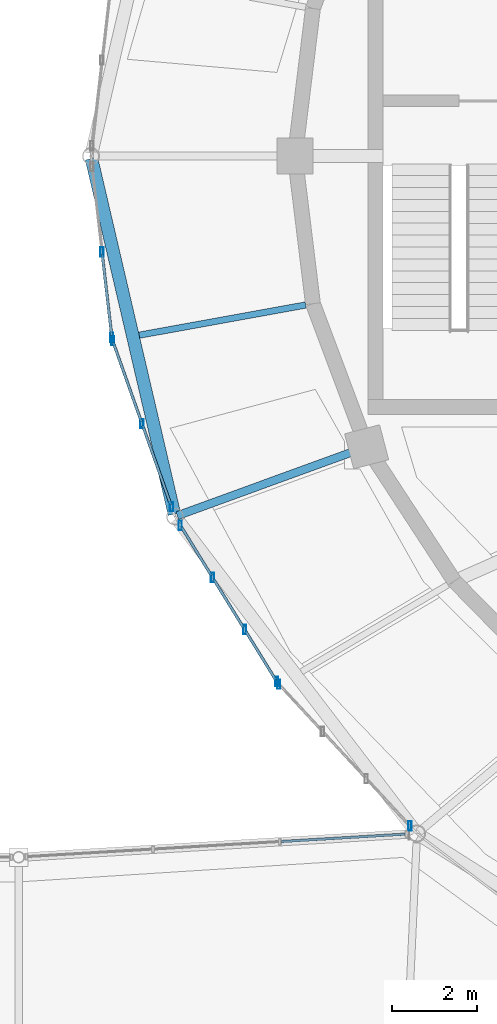
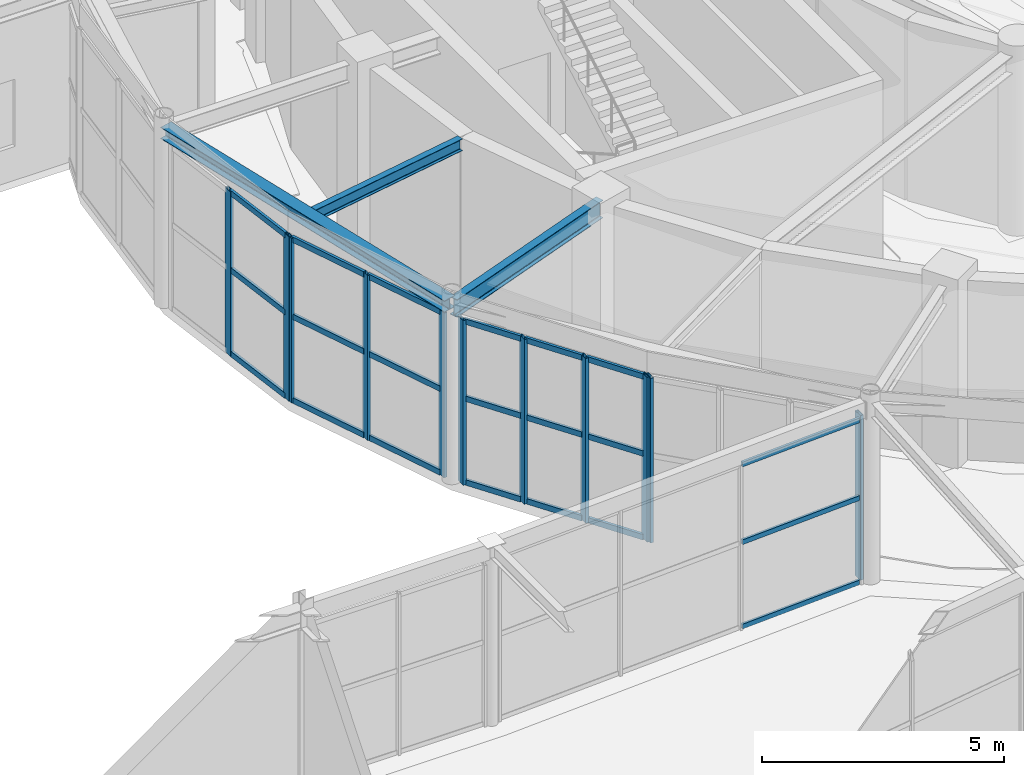
# One storey, part 25 of 100: 32 members, 3 beams, 5 elements without a shape of their own.
"""IFC4 building model written with IfcOpenShell, lengths in metres."""

from ifc_helpers import new_model, si_unit, direction, frame, origin, origin_2d, place, context, subcontext, project, spatial, hollow_rectangle, i_section, extrude, material, material_profile, profile_set, type_object, element, aggregate, save


model = new_model("IFC4")

# Units and contexts
model_context = context("Model", 3, precision=1e-05, world=origin(), true_north=direction((0.0, 1.0)))
body_context = subcontext(model_context, "Body", "Model", "MODEL_VIEW")
ifc_project = project(units=[si_unit("LENGTHUNIT", "METRE"), si_unit("AREAUNIT", "SQUARE_METRE"), si_unit("VOLUMEUNIT", "CUBIC_METRE"), si_unit("PLANEANGLEUNIT", "RADIAN"), si_unit("MASSUNIT", "GRAM", prefix="KILO")], contexts=[model_context])

# Site, building, storey
site_placement = place(None, origin())
site = spatial("IfcSite", under=ifc_project, at=site_placement, CompositionType="ELEMENT")
building_placement = place(site_placement, origin())
building = spatial("IfcBuilding", under=site, at=building_placement, Name="Tarnveldt Headland Concert Hall", CompositionType="ELEMENT")
storey_placement = place(building_placement, frame((0.0, 0.0, 4.800048828125)))
storey = spatial("IfcBuildingStorey", under=building, at=storey_placement, Name="L01", CompositionType="ELEMENT", Elevation=4.800048828125)

# Curtain wall, members
ifc_material_1 = material(Name="Marine-anodised aluminium EN AW-6063-T6", Category="aluminium")
curtain_wall_type_1 = type_object("IfcCurtainWallType", Name="CW-F2", PredefinedType="NOTDEFINED", material=ifc_material_1)
curtain_wall_1_placement = place(storey_placement, origin())
curtain_wall_1 = element("IfcCurtainWall", 1, at=curtain_wall_1_placement, inside=storey, type_object=curtain_wall_type_1, Name="Curtain wall CW-L01-045", PredefinedType="NOTDEFINED")
ifc_material_profile_1 = material_profile(ifc_material_1, hollow_rectangle(XDim=0.074951171875, YDim=0.219970703125, WallThickness=0.0048828125, at=origin_2d()), Name="ALU MULLION 75x220x5", Category="aluminium")
ifc_profile_set_1 = profile_set([ifc_material_profile_1], Name="Marine-anodised aluminium EN AW-6063-T6")
member_type_1 = type_object("IfcMemberType", Name="ML-200", PredefinedType="MULLION", material=ifc_profile_set_1)
member_1_placement = place(storey_placement, frame((50.9609375, 52.245849609375, 0.0), z_axis=(0.0, 0.0, 1.0), x_axis=(1.0, 0.0, 0.0)))
member_1 = element("IfcMember", 2, at=member_1_placement, type_object=member_type_1, Name="Mullion CW-L01-045-2", PredefinedType="MULLION", context=body_context, shape_type="SweptSolid", body=[
    extrude(hollow_rectangle(XDim=0.074951171875, YDim=0.219970703125, WallThickness=0.0048828125, at=origin_2d()), origin(), (0.0, 0.0, 1.0), 4.159912109375),
])
member_2_placement = place(storey_placement, frame((51.193603515625, 50.233154296875, 0.0), z_axis=(0.0, 0.0, 1.0), x_axis=(1.0, 0.0, 0.0)))
member_2 = element("IfcMember", 3, at=member_2_placement, type_object=member_type_1, Name="Mullion CW-L01-045-3", PredefinedType="MULLION", context=body_context, shape_type="SweptSolid", body=[
    extrude(hollow_rectangle(XDim=0.074951171875, YDim=0.219970703125, WallThickness=0.0048828125, at=origin_2d()), origin(), (0.0, 0.0, 1.0), 4.159912109375),
])

curtain_wall_2_placement = place(storey_placement, origin())
curtain_wall_2 = element("IfcCurtainWall", 4, at=curtain_wall_2_placement, inside=storey, type_object=curtain_wall_type_1, Name="Curtain wall CW-L01-046", PredefinedType="NOTDEFINED")
member_3_placement = place(storey_placement, frame((51.211669921875, 50.15576171875, 0.0), z_axis=(0.0, 0.0, 1.0), x_axis=(1.0, 0.0, 0.0)))
member_3 = element("IfcMember", 5, at=member_3_placement, type_object=member_type_1, Name="Mullion CW-L01-046-1", PredefinedType="MULLION", context=body_context, shape_type="SweptSolid", body=[
    extrude(hollow_rectangle(XDim=0.074951171875, YDim=0.219970703125, WallThickness=0.0048828125, at=origin_2d()), origin(), (0.0, 0.0, 1.0), 4.159912109375),
])
member_4_placement = place(storey_placement, frame((51.904296875, 48.201416015625, 0.0), z_axis=(0.0, 0.0, 1.0), x_axis=(1.0, 0.0, 0.0)))
member_4 = element("IfcMember", 6, at=member_4_placement, type_object=member_type_1, Name="Mullion CW-L01-046-2", PredefinedType="MULLION", context=body_context, shape_type="SweptSolid", body=[
    extrude(hollow_rectangle(XDim=0.074951171875, YDim=0.219970703125, WallThickness=0.0048828125, at=origin_2d()), origin(), (0.0, 0.0, 1.0), 4.159912109375),
])
member_5_placement = place(storey_placement, frame((52.596923828125, 46.2470703125, 0.0), z_axis=(0.0, 0.0, 1.0), x_axis=(1.0, 0.0, 0.0)))
member_5 = element("IfcMember", 7, at=member_5_placement, type_object=member_type_1, Name="Mullion CW-L01-046-3", PredefinedType="MULLION", context=body_context, shape_type="SweptSolid", body=[
    extrude(hollow_rectangle(XDim=0.074951171875, YDim=0.219970703125, WallThickness=0.0048828125, at=origin_2d()), origin(), (0.0, 0.0, 1.0), 4.159912109375),
])

curtain_wall_3_placement = place(storey_placement, origin())
curtain_wall_3 = element("IfcCurtainWall", 8, at=curtain_wall_3_placement, inside=storey, type_object=curtain_wall_type_1, Name="Curtain wall CW-L01-047", PredefinedType="NOTDEFINED")
member_6_placement = place(storey_placement, frame((52.805908203125, 45.810791015625, 0.0), z_axis=(0.0, 0.0, 1.0), x_axis=(1.0, 0.0, 0.0)))
member_6 = element("IfcMember", 9, at=member_6_placement, type_object=member_type_1, Name="Mullion CW-L01-047-1", PredefinedType="MULLION", context=body_context, shape_type="SweptSolid", body=[
    extrude(hollow_rectangle(XDim=0.074951171875, YDim=0.219970703125, WallThickness=0.0048828125, at=origin_2d()), origin(), (0.0, 0.0, 1.0), 4.159912109375),
])
member_7_placement = place(storey_placement, frame((53.561767578125, 44.585205078125, 0.0), z_axis=(0.0, 0.0, 1.0), x_axis=(1.0, 0.0, 0.0)))
member_7 = element("IfcMember", 10, at=member_7_placement, type_object=member_type_1, Name="Mullion CW-L01-047-2", PredefinedType="MULLION", context=body_context, shape_type="SweptSolid", body=[
    extrude(hollow_rectangle(XDim=0.074951171875, YDim=0.219970703125, WallThickness=0.0048828125, at=origin_2d()), origin(), (0.0, 0.0, 1.0), 4.159912109375),
])
member_8_placement = place(storey_placement, frame((54.3173828125, 43.359619140625, 0.0), z_axis=(0.0, 0.0, 1.0), x_axis=(1.0, 0.0, 0.0)))
member_8 = element("IfcMember", 11, at=member_8_placement, type_object=member_type_1, Name="Mullion CW-L01-047-3", PredefinedType="MULLION", context=body_context, shape_type="SweptSolid", body=[
    extrude(hollow_rectangle(XDim=0.074951171875, YDim=0.219970703125, WallThickness=0.0048828125, at=origin_2d()), origin(), (0.0, 0.0, 1.0), 4.159912109375),
])
member_9_placement = place(storey_placement, frame((55.073486328125, 42.134033203125, 0.0), z_axis=(0.0, 0.0, 1.0), x_axis=(1.0, 0.0, 0.0)))
member_9 = element("IfcMember", 12, at=member_9_placement, type_object=member_type_1, Name="Mullion CW-L01-047-4", PredefinedType="MULLION", context=body_context, shape_type="SweptSolid", body=[
    extrude(hollow_rectangle(XDim=0.074951171875, YDim=0.219970703125, WallThickness=0.0048828125, at=origin_2d()), origin(), (0.0, 0.0, 1.0), 4.159912109375),
])

curtain_wall_4_placement = place(storey_placement, origin())
curtain_wall_4 = element("IfcCurtainWall", 13, at=curtain_wall_4_placement, inside=storey, type_object=curtain_wall_type_1, Name="Curtain wall CW-L01-048", PredefinedType="NOTDEFINED")
member_10_placement = place(storey_placement, frame((55.12158203125, 42.07080078125, 0.0), z_axis=(0.0, 0.0, 1.0), x_axis=(1.0, 0.0, 0.0)))
member_10 = element("IfcMember", 14, at=member_10_placement, type_object=member_type_1, Name="Mullion CW-L01-048-1", PredefinedType="MULLION", context=body_context, shape_type="SweptSolid", body=[
    extrude(hollow_rectangle(XDim=0.074951171875, YDim=0.219970703125, WallThickness=0.0048828125, at=origin_2d()), origin(), (0.0, 0.0, 1.0), 4.159912109375),
])
member_11_placement = place(storey_placement, frame((58.20849609375, 38.7373046875, 0.0), z_axis=(0.0, 0.0, 1.0), x_axis=(1.0, 0.0, 0.0)))
member_11 = element("IfcMember", 15, at=member_11_placement, type_object=member_type_1, Name="Mullion CW-L01-048-4", PredefinedType="MULLION", context=body_context, shape_type="SweptSolid", body=[
    extrude(hollow_rectangle(XDim=0.074951171875, YDim=0.219970703125, WallThickness=0.0048828125, at=origin_2d()), origin(), (0.0, 0.0, 1.0), 4.159912109375),
])
aggregate(curtain_wall_4, [member_10, member_11])

# Beams
ifc_material_2 = material(Name="Steel S355", Category="steel")
ifc_material_profile_2 = material_profile(ifc_material_2, i_section(OverallWidth=0.300048828125, OverallDepth=0.2900390625, WebThickness=0.008544921875, FlangeThickness=0.013916015625, FilletRadius=0.027099609375, at=origin_2d()), Name="HEA300", Category="steel")
ifc_profile_set_2 = profile_set([ifc_material_profile_2], Name="Steel S355")
beam_type_1 = type_object("IfcBeamType", Name="SB-HEA300", PredefinedType="SPANDREL", material=ifc_profile_set_2)
beam_1_placement = place(storey_placement, frame((50.713623046875, 54.441650390625, 4.39501953125), z_axis=(0.227123591729, -0.973865942561, 0.0), x_axis=(0.973865942561, 0.227123591729, 0.0)))
element("IfcBeam", 16, at=beam_1_placement, inside=storey, type_object=beam_type_1, Name="Framing beam L01-705", PredefinedType="SPANDREL", context=body_context, shape_type="SweptSolid", body=[
    extrude(i_section(OverallWidth=0.300048828125, OverallDepth=0.2900390625, WebThickness=0.008544921875, FlangeThickness=0.013916015625, FilletRadius=0.027099609375, at=origin_2d()), origin(), (0.0, 0.0, 1.0), 8.589599609375),
])
ifc_material_profile_3 = material_profile(ifc_material_2, i_section(OverallWidth=0.14990234375, OverallDepth=0.300048828125, WebThickness=0.007080078125, FlangeThickness=0.0107421875, FilletRadius=0.014892578125, at=origin_2d()), Name="IPE300", Category="steel")
ifc_profile_set_3 = profile_set([ifc_material_profile_3], Name="Steel S355")
beam_type_2 = type_object("IfcBeamType", Name="SB-IPE300", PredefinedType="JOIST", material=ifc_profile_set_3)
beam_2_placement = place(storey_placement, frame((55.753173828125, 50.995849609375, 4.389892578125), z_axis=(-0.983953220183, -0.178426624954, 0.0), x_axis=(0.178426624954, -0.983953220183, 0.0)))
element("IfcBeam", 17, at=beam_2_placement, inside=storey, type_object=beam_type_2, Name="Framing beam L01-707", PredefinedType="JOIST", context=body_context, shape_type="SweptSolid", body=[
    extrude(i_section(OverallWidth=0.14990234375, OverallDepth=0.300048828125, WebThickness=0.007080078125, FlangeThickness=0.0107421875, FilletRadius=0.014892578125, at=origin_2d()), origin(), (0.0, 0.0, 1.0), 3.98046875),
])
ifc_material_profile_4 = material_profile(ifc_material_2, i_section(OverallWidth=0.18994140625, OverallDepth=0.449951171875, WebThickness=0.009521484375, FlangeThickness=0.0146484375, FilletRadius=0.02099609375, at=origin_2d()), Name="IPE450", Category="steel")
ifc_profile_set_4 = profile_set([ifc_material_profile_4], Name="Steel S355")
beam_type_3 = type_object("IfcBeamType", Name="SB-IPE450", PredefinedType="BEAM", material=ifc_profile_set_4)
beam_3_placement = place(storey_placement, frame((57.15087890625, 47.64599609375, 4.31494140625), z_axis=(-0.939673545823, -0.34207254681, 0.0), x_axis=(0.34207254681, -0.939673545823, 0.0)))
element("IfcBeam", 18, at=beam_3_placement, inside=storey, type_object=beam_type_3, Name="Framing beam L01-709", PredefinedType="BEAM", context=body_context, shape_type="SweptSolid", body=[
    extrude(i_section(OverallWidth=0.18994140625, OverallDepth=0.449951171875, WebThickness=0.009521484375, FlangeThickness=0.0146484375, FilletRadius=0.02099609375, at=origin_2d()), origin(), (0.0, 0.0, 1.0), 4.69970703125),
])

# Curtain wall, members
curtain_wall_type_2 = type_object("IfcCurtainWallType", Name="CW-L2", PredefinedType="NOTDEFINED", material=ifc_material_1)
curtain_wall_5_placement = place(storey_placement, origin())
curtain_wall_5 = element("IfcCurtainWall", 19, at=curtain_wall_5_placement, inside=storey, type_object=curtain_wall_type_2, Name="Curtain wall CW-L01-176", PredefinedType="NOTDEFINED")
ifc_material_profile_5 = material_profile(ifc_material_1, hollow_rectangle(XDim=0.06005859375, YDim=0.1201171875, WallThickness=0.00390625, at=origin_2d()), Name="ALU TRANSOM 60x120x4", Category="aluminium")
ifc_profile_set_5 = profile_set([ifc_material_profile_5], Name="Marine-anodised aluminium EN AW-6063-T6")
member_type_2 = type_object("IfcMemberType", Name="TR-110", PredefinedType="MEMBER", material=ifc_profile_set_5)
member_12_placement = place(storey_placement, frame((55.18798828125, 38.368896484375, 0.050048828125), z_axis=(0.998224778178, 0.059559149014, 0.0), x_axis=(-0.059559149014, 0.998224778178, 0.0)))
member_12 = element("IfcMember", 20, at=member_12_placement, type_object=member_type_2, Name="Transom CW-L01-176-3-1", PredefinedType="MEMBER", context=body_context, shape_type="SweptSolid", body=[
    extrude(hollow_rectangle(XDim=0.06005859375, YDim=0.1201171875, WallThickness=0.00390625, at=origin_2d()), origin(), (0.0, 0.0, 1.0), 2.90625),
])
member_13_placement = place(storey_placement, frame((55.18798828125, 38.368896484375, 2.180419921875), z_axis=(0.998224778178, 0.059559149014, 0.0), x_axis=(-0.059559149014, 0.998224778178, 0.0)))
member_13 = element("IfcMember", 21, at=member_13_placement, type_object=member_type_2, Name="Transom CW-L01-176-3-2", PredefinedType="MEMBER", context=body_context, shape_type="SweptSolid", body=[
    extrude(hollow_rectangle(XDim=0.06005859375, YDim=0.1201171875, WallThickness=0.00390625, at=origin_2d()), origin(), (0.0, 0.0, 1.0), 2.90625),
])
member_14_placement = place(storey_placement, frame((55.18798828125, 38.368896484375, 4.14306640625), z_axis=(0.998224778178, 0.059559149014, 0.0), x_axis=(-0.059559149014, 0.998224778178, 0.0)))
member_14 = element("IfcMember", 22, at=member_14_placement, type_object=member_type_2, Name="Transom CW-L01-176-3-3", PredefinedType="MEMBER", context=body_context, shape_type="SweptSolid", body=[
    extrude(hollow_rectangle(XDim=0.06005859375, YDim=0.1201171875, WallThickness=0.00390625, at=origin_2d()), origin(), (0.0, 0.0, 1.0), 2.90625),
])
aggregate(curtain_wall_5, [member_12, member_13, member_14])

# Member
ifc_material_profile_6 = material_profile(ifc_material_1, hollow_rectangle(XDim=0.06494140625, YDim=0.139892578125, WallThickness=0.00390625, at=origin_2d()), Name="ALU TRANSOM 65x140x4", Category="aluminium")
ifc_profile_set_6 = profile_set([ifc_material_profile_6], Name="Marine-anodised aluminium EN AW-6063-T6")
member_type_3 = type_object("IfcMemberType", Name="TR-140", PredefinedType="MEMBER", material=ifc_profile_set_6)
member_15_placement = place(storey_placement, frame((50.966552734375, 52.196533203125, 0.050048828125), z_axis=(0.114922277943, -0.9933744863, 0.0), x_axis=(0.9933744863, 0.114922277943, 0.0)))
member_15 = element("IfcMember", 23, at=member_15_placement, type_object=member_type_3, Name="Transom CW-L01-045-2-1", PredefinedType="MEMBER", context=body_context, shape_type="SweptSolid", body=[
    extrude(hollow_rectangle(XDim=0.06494140625, YDim=0.139892578125, WallThickness=0.00390625, at=origin_2d()), origin(), (0.0, 0.0, 1.0), 1.9267578125),
])

member_16_placement = place(storey_placement, frame((50.966552734375, 52.196533203125, 2.1630859375), z_axis=(0.114922277943, -0.9933744863, 0.0), x_axis=(0.9933744863, 0.114922277943, 0.0)))
member_16 = element("IfcMember", 24, at=member_16_placement, type_object=member_type_3, Name="Transom CW-L01-045-2-2", PredefinedType="MEMBER", context=body_context, shape_type="SweptSolid", body=[
    extrude(hollow_rectangle(XDim=0.06494140625, YDim=0.139892578125, WallThickness=0.00390625, at=origin_2d()), origin(), (0.0, 0.0, 1.0), 1.9267578125),
])

member_17_placement = place(storey_placement, frame((50.966552734375, 52.196533203125, 4.10986328125), z_axis=(0.114922277943, -0.9933744863, 0.0), x_axis=(0.9933744863, 0.114922277943, 0.0)))
member_17 = element("IfcMember", 25, at=member_17_placement, type_object=member_type_3, Name="Transom CW-L01-045-2-3", PredefinedType="MEMBER", context=body_context, shape_type="SweptSolid", body=[
    extrude(hollow_rectangle(XDim=0.06494140625, YDim=0.139892578125, WallThickness=0.00390625, at=origin_2d()), origin(), (0.0, 0.0, 1.0), 1.9267578125),
])

aggregate(curtain_wall_1, [member_1, member_2, member_15, member_16, member_17])

member_18_placement = place(storey_placement, frame((51.228271484375, 50.109130859375, 0.050048828125), z_axis=(0.333977607749, -0.942581008467, 0.0), x_axis=(0.942581008467, 0.333977607749, 0.0)))
member_18 = element("IfcMember", 26, at=member_18_placement, type_object=member_type_3, Name="Transom CW-L01-046-1-1", PredefinedType="MEMBER", context=body_context, shape_type="SweptSolid", body=[
    extrude(hollow_rectangle(XDim=0.06494140625, YDim=0.139892578125, WallThickness=0.00390625, at=origin_2d()), origin(), (0.0, 0.0, 1.0), 1.974365234375),
])

member_19_placement = place(storey_placement, frame((51.228271484375, 50.109130859375, 2.1630859375), z_axis=(0.333977607749, -0.942581008467, 0.0), x_axis=(0.942581008467, 0.333977607749, 0.0)))
member_19 = element("IfcMember", 27, at=member_19_placement, type_object=member_type_3, Name="Transom CW-L01-046-1-2", PredefinedType="MEMBER", context=body_context, shape_type="SweptSolid", body=[
    extrude(hollow_rectangle(XDim=0.06494140625, YDim=0.139892578125, WallThickness=0.00390625, at=origin_2d()), origin(), (0.0, 0.0, 1.0), 1.974365234375),
])

member_20_placement = place(storey_placement, frame((51.228271484375, 50.109130859375, 4.10986328125), z_axis=(0.333977607749, -0.942581008467, 0.0), x_axis=(0.942581008467, 0.333977607749, 0.0)))
member_20 = element("IfcMember", 28, at=member_20_placement, type_object=member_type_3, Name="Transom CW-L01-046-1-3", PredefinedType="MEMBER", context=body_context, shape_type="SweptSolid", body=[
    extrude(hollow_rectangle(XDim=0.06494140625, YDim=0.139892578125, WallThickness=0.00390625, at=origin_2d()), origin(), (0.0, 0.0, 1.0), 1.974365234375),
])

member_21_placement = place(storey_placement, frame((51.9208984375, 48.15478515625, 0.050048828125), z_axis=(0.333977607749, -0.942581008467, 0.0), x_axis=(0.942581008467, 0.333977607749, 0.0)))
member_21 = element("IfcMember", 29, at=member_21_placement, type_object=member_type_3, Name="Transom CW-L01-046-2-1", PredefinedType="MEMBER", context=body_context, shape_type="SweptSolid", body=[
    extrude(hollow_rectangle(XDim=0.06494140625, YDim=0.139892578125, WallThickness=0.00390625, at=origin_2d()), origin(), (0.0, 0.0, 1.0), 1.974365234375),
])

member_22_placement = place(storey_placement, frame((51.9208984375, 48.15478515625, 2.1630859375), z_axis=(0.333977607749, -0.942581008467, 0.0), x_axis=(0.942581008467, 0.333977607749, 0.0)))
member_22 = element("IfcMember", 30, at=member_22_placement, type_object=member_type_3, Name="Transom CW-L01-046-2-2", PredefinedType="MEMBER", context=body_context, shape_type="SweptSolid", body=[
    extrude(hollow_rectangle(XDim=0.06494140625, YDim=0.139892578125, WallThickness=0.00390625, at=origin_2d()), origin(), (0.0, 0.0, 1.0), 1.974365234375),
])

member_23_placement = place(storey_placement, frame((51.9208984375, 48.15478515625, 4.10986328125), z_axis=(0.333977607749, -0.942581008467, 0.0), x_axis=(0.942581008467, 0.333977607749, 0.0)))
member_23 = element("IfcMember", 31, at=member_23_placement, type_object=member_type_3, Name="Transom CW-L01-046-2-3", PredefinedType="MEMBER", context=body_context, shape_type="SweptSolid", body=[
    extrude(hollow_rectangle(XDim=0.06494140625, YDim=0.139892578125, WallThickness=0.00390625, at=origin_2d()), origin(), (0.0, 0.0, 1.0), 1.974365234375),
])

aggregate(curtain_wall_2, [member_3, member_4, member_5, member_18, member_19, member_20, member_21, member_22, member_23])

member_24_placement = place(storey_placement, frame((52.831787109375, 45.768798828125, 0.050048828125), z_axis=(0.524899695135, -0.85116409114, 0.0), x_axis=(0.85116409114, 0.524899695135, 0.0)))
member_24 = element("IfcMember", 32, at=member_24_placement, type_object=member_type_3, Name="Transom CW-L01-047-1-1", PredefinedType="MEMBER", context=body_context, shape_type="SweptSolid", body=[
    extrude(hollow_rectangle(XDim=0.06494140625, YDim=0.139892578125, WallThickness=0.00390625, at=origin_2d()), origin(), (0.0, 0.0, 1.0), 1.3408203125),
])

member_25_placement = place(storey_placement, frame((52.831787109375, 45.768798828125, 2.1630859375), z_axis=(0.524899695135, -0.85116409114, 0.0), x_axis=(0.85116409114, 0.524899695135, 0.0)))
member_25 = element("IfcMember", 33, at=member_25_placement, type_object=member_type_3, Name="Transom CW-L01-047-1-2", PredefinedType="MEMBER", context=body_context, shape_type="SweptSolid", body=[
    extrude(hollow_rectangle(XDim=0.06494140625, YDim=0.139892578125, WallThickness=0.00390625, at=origin_2d()), origin(), (0.0, 0.0, 1.0), 1.3408203125),
])

member_26_placement = place(storey_placement, frame((52.831787109375, 45.768798828125, 4.10986328125), z_axis=(0.524899695135, -0.85116409114, 0.0), x_axis=(0.85116409114, 0.524899695135, 0.0)))
member_26 = element("IfcMember", 34, at=member_26_placement, type_object=member_type_3, Name="Transom CW-L01-047-1-3", PredefinedType="MEMBER", context=body_context, shape_type="SweptSolid", body=[
    extrude(hollow_rectangle(XDim=0.06494140625, YDim=0.139892578125, WallThickness=0.00390625, at=origin_2d()), origin(), (0.0, 0.0, 1.0), 1.3408203125),
])

member_27_placement = place(storey_placement, frame((53.587646484375, 44.543212890625, 0.050048828125), z_axis=(0.524899695135, -0.85116409114, 0.0), x_axis=(0.85116409114, 0.524899695135, 0.0)))
member_27 = element("IfcMember", 35, at=member_27_placement, type_object=member_type_3, Name="Transom CW-L01-047-2-1", PredefinedType="MEMBER", context=body_context, shape_type="SweptSolid", body=[
    extrude(hollow_rectangle(XDim=0.06494140625, YDim=0.139892578125, WallThickness=0.00390625, at=origin_2d()), origin(), (0.0, 0.0, 1.0), 1.3408203125),
])

member_28_placement = place(storey_placement, frame((53.587646484375, 44.543212890625, 2.1630859375), z_axis=(0.524899695135, -0.85116409114, 0.0), x_axis=(0.85116409114, 0.524899695135, 0.0)))
member_28 = element("IfcMember", 36, at=member_28_placement, type_object=member_type_3, Name="Transom CW-L01-047-2-2", PredefinedType="MEMBER", context=body_context, shape_type="SweptSolid", body=[
    extrude(hollow_rectangle(XDim=0.06494140625, YDim=0.139892578125, WallThickness=0.00390625, at=origin_2d()), origin(), (0.0, 0.0, 1.0), 1.3408203125),
])

member_29_placement = place(storey_placement, frame((53.587646484375, 44.543212890625, 4.10986328125), z_axis=(0.524899695135, -0.85116409114, 0.0), x_axis=(0.85116409114, 0.524899695135, 0.0)))
member_29 = element("IfcMember", 37, at=member_29_placement, type_object=member_type_3, Name="Transom CW-L01-047-2-3", PredefinedType="MEMBER", context=body_context, shape_type="SweptSolid", body=[
    extrude(hollow_rectangle(XDim=0.06494140625, YDim=0.139892578125, WallThickness=0.00390625, at=origin_2d()), origin(), (0.0, 0.0, 1.0), 1.3408203125),
])

member_30_placement = place(storey_placement, frame((54.343505859375, 43.3173828125, 0.050048828125), z_axis=(0.524899695135, -0.85116409114, 0.0), x_axis=(0.85116409114, 0.524899695135, 0.0)))
member_30 = element("IfcMember", 38, at=member_30_placement, type_object=member_type_3, Name="Transom CW-L01-047-3-1", PredefinedType="MEMBER", context=body_context, shape_type="SweptSolid", body=[
    extrude(hollow_rectangle(XDim=0.06494140625, YDim=0.139892578125, WallThickness=0.00390625, at=origin_2d()), origin(), (0.0, 0.0, 1.0), 1.3408203125),
])

member_31_placement = place(storey_placement, frame((54.343505859375, 43.3173828125, 2.1630859375), z_axis=(0.524899695135, -0.85116409114, 0.0), x_axis=(0.85116409114, 0.524899695135, 0.0)))
member_31 = element("IfcMember", 39, at=member_31_placement, type_object=member_type_3, Name="Transom CW-L01-047-3-2", PredefinedType="MEMBER", context=body_context, shape_type="SweptSolid", body=[
    extrude(hollow_rectangle(XDim=0.06494140625, YDim=0.139892578125, WallThickness=0.00390625, at=origin_2d()), origin(), (0.0, 0.0, 1.0), 1.3408203125),
])

member_32_placement = place(storey_placement, frame((54.343505859375, 43.3173828125, 4.10986328125), z_axis=(0.524899695135, -0.85116409114, 0.0), x_axis=(0.85116409114, 0.524899695135, 0.0)))
member_32 = element("IfcMember", 40, at=member_32_placement, type_object=member_type_3, Name="Transom CW-L01-047-3-3", PredefinedType="MEMBER", context=body_context, shape_type="SweptSolid", body=[
    extrude(hollow_rectangle(XDim=0.06494140625, YDim=0.139892578125, WallThickness=0.00390625, at=origin_2d()), origin(), (0.0, 0.0, 1.0), 1.3408203125),
])

aggregate(curtain_wall_3, [member_6, member_7, member_8, member_9, member_24, member_25, member_26, member_27, member_28, member_29, member_30, member_31, member_32])

save(model, "model.ifc")
